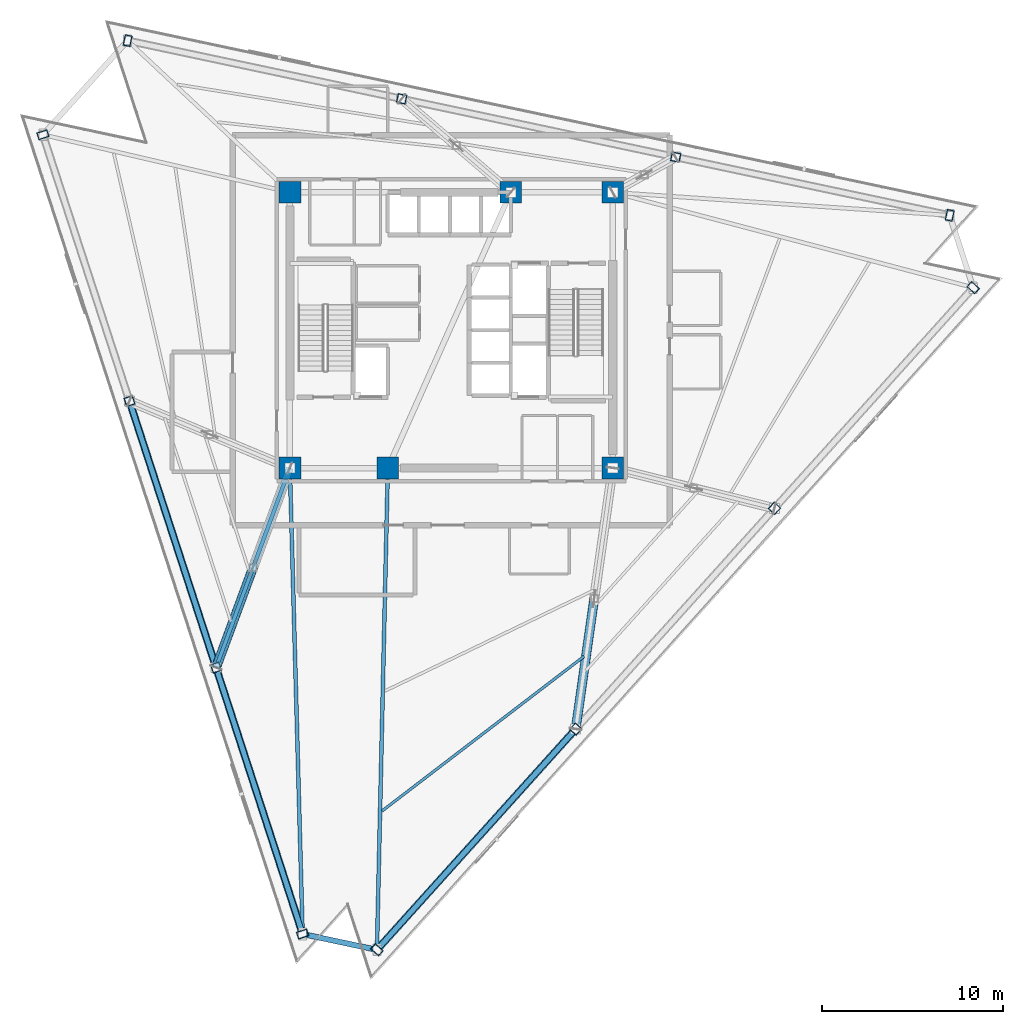
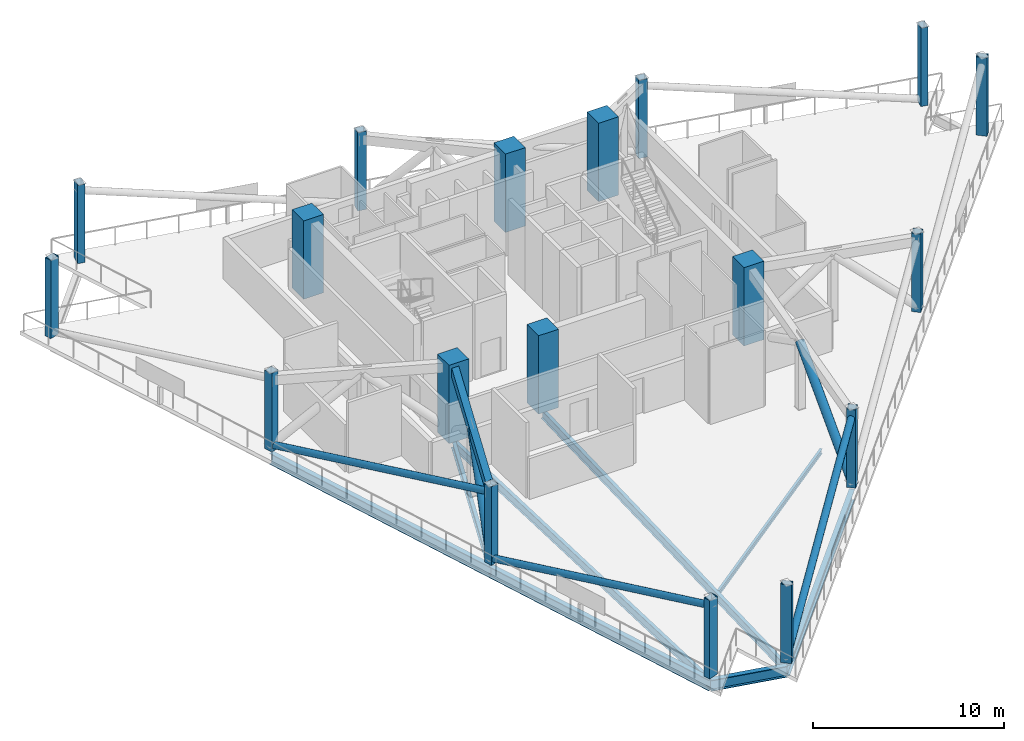
# One storey, part 1 of 15: 18 columns, 8 beams, 6 members.
"""IFC4 building model written with IfcOpenShell, lengths in metres."""

from ifc_helpers import new_model, si_unit, direction, frame, origin, origin_2d, place, context, subcontext, project, spatial, rectangle, hollow_rectangle, hollow_circle, i_section, extrude, material, material_profile, profile_set, type_object, element, save


model = new_model("IFC4")

# Units and contexts
model_context = context("Model", 3, precision=1e-05, world=origin(), true_north=direction((0.0, 1.0)))
body_context = subcontext(model_context, "Body", "Model", "MODEL_VIEW")
ifc_project = project(units=[si_unit("LENGTHUNIT", "METRE"), si_unit("AREAUNIT", "SQUARE_METRE"), si_unit("VOLUMEUNIT", "CUBIC_METRE"), si_unit("PLANEANGLEUNIT", "RADIAN"), si_unit("MASSUNIT", "GRAM", prefix="KILO")], contexts=[model_context])

# Site, building, storey
site_placement = place(None, origin())
site = spatial("IfcSite", under=ifc_project, at=site_placement, CompositionType="ELEMENT")
building_placement = place(site_placement, origin())
building = spatial("IfcBuilding", under=site, at=building_placement, Name="Tharavind Bronze Gate", CompositionType="ELEMENT")
storey_placement = place(building_placement, frame((0.0, 0.0, 222.050048828125)))
storey = spatial("IfcBuildingStorey", under=building, at=storey_placement, Name="L57", CompositionType="ELEMENT", Elevation=222.050048828125)

# Columns
ifc_material_1 = material(Name="Steel S460", Category="steel")
ifc_material_profile_1 = material_profile(ifc_material_1, hollow_rectangle(XDim=0.39990234375, YDim=0.60009765625, WallThickness=0.030029296875, at=origin_2d()), Name="RHS600X400X30")
ifc_profile_set_1 = profile_set([ifc_material_profile_1], Name="Steel S460")
column_type_1 = type_object("IfcColumnType", Name="CORNER NOTCH COLUMN RHS600X400", PredefinedType="COLUMN", material=ifc_profile_set_1)
for number, where, z_axis, x_axis, name in (
    (1, (-22.515380859375, 10.77685546875, 0.0), (0.0, 0.0, 1.0), (-0.309016994375, 0.951056516295, 0.0), "L57 perimeter column S1C1"),
    (2, (-8.197021484375, -33.29150390625, 0.0), (0.0, 0.0, 1.0), (-0.309016994375, 0.951056516295, 0.0), "L57 perimeter column S1C4"),
    (3, (-4.100341796875, -34.162353515625, 0.0), (0.0, 0.0, 1.0), (0.669130606359, 0.743144825477, 0.0), "L57 perimeter column S2C1"),
    (4, (28.772705078125, 2.34716796875, 0.0), (0.0, 0.0, 1.0), (0.669130606359, 0.743144825477, 0.0), "L57 perimeter column S2C4"),
    (5, (27.478515625, 6.330078125, 0.0), (0.0, 0.0, 1.0), (-0.978147600734, 0.207911690818, 0.0), "L57 perimeter column S3C1"),
    (6, (-17.844970703125, 15.9638671875, 0.0), (0.0, 0.0, 1.0), (-0.978147600734, 0.207911690818, 0.0), "L57 perimeter column S3C4"),
):
    element("IfcColumn", number, at=place(storey_placement, frame(where, z_axis=z_axis, x_axis=x_axis)), inside=storey, type_object=column_type_1, Name=name, PredefinedType="COLUMN", context=body_context, shape_type="SweptSolid", body=[
        extrude(hollow_rectangle(XDim=0.39990234375, YDim=0.60009765625, WallThickness=0.030029296875, at=origin_2d()), origin(), (0.0, 0.0, 1.0), 5.0),
    ])
ifc_material_2 = material(Name="Concrete C60/75", Category="concrete")
ifc_material_profile_2 = material_profile(ifc_material_2, rectangle(XDim=1.199951171875, YDim=1.199951171875, at=origin_2d()), Name="RCCOL1200")
ifc_profile_set_2 = profile_set([ifc_material_profile_2], Name="Concrete C60/75")
column_type_2 = type_object("IfcColumnType", Name="MEGA CORE COLUMN 1200", PredefinedType="COLUMN", material=ifc_profile_set_2)
for number, where, z_axis, x_axis, name in (
    (7, (-8.89990234375, -7.60009765625, 0.0), (0.0, 0.0, 1.0), (1.0, 0.0, 0.0), "L57 core mega column MC1"),
    (8, (-3.5, -7.60009765625, 0.0), (0.0, 0.0, 1.0), (1.0, 0.0, 0.0), "L57 core mega column MC2"),
    (9, (8.89990234375, -7.60009765625, 0.0), (0.0, 0.0, 1.0), (1.0, 0.0, 0.0), "L57 core mega column MC3"),
    (10, (8.89990234375, 7.60009765625, 0.0), (0.0, 0.0, 1.0), (1.0, 0.0, 0.0), "L57 core mega column MC4"),
    (11, (3.280029296875, 7.60009765625, 0.0), (0.0, 0.0, 1.0), (1.0, 0.0, 0.0), "L57 core mega column MC5"),
    (12, (-8.89990234375, 7.60009765625, 0.0), (0.0, 0.0, 1.0), (1.0, 0.0, 0.0), "L57 core mega column MC6"),
):
    element("IfcColumn", number, at=place(storey_placement, frame(where, z_axis=z_axis, x_axis=x_axis)), inside=storey, type_object=column_type_2, Name=name, PredefinedType="COLUMN", context=body_context, shape_type="SweptSolid", body=[
        extrude(rectangle(XDim=1.199951171875, YDim=1.199951171875, at=origin_2d()), origin(), (0.0, 0.0, 1.0), 5.0),
    ])
ifc_material_profile_3 = material_profile(ifc_material_1, hollow_rectangle(XDim=0.5, YDim=0.5, WallThickness=0.031982421875, at=origin_2d()), Name="SHS500X32")
ifc_profile_set_3 = profile_set([ifc_material_profile_3], Name="Steel S460")
column_type_3 = type_object("IfcColumnType", Name="PERIMETER BOX COLUMN SHS500", PredefinedType="COLUMN", material=ifc_profile_set_3)
for number, where, z_axis, x_axis, name in (
    (13, (-17.74267578125, -3.91259765625, 0.0), (0.0, 0.0, 1.0), (-0.309016994375, 0.951056516295, 0.0), "L57 perimeter column S1C2"),
    (14, (-12.9697265625, -18.60205078125, 0.0), (0.0, 0.0, 1.0), (-0.309016994375, 0.951056516295, 0.0), "L57 perimeter column S1C3"),
    (15, (6.857421875, -21.992431640625, 0.0), (0.0, 0.0, 1.0), (0.669130606359, 0.743144825477, 0.0), "L57 perimeter column S2C2"),
    (16, (17.815185546875, -9.82275390625, 0.0), (0.0, 0.0, 1.0), (0.669130606359, 0.743144825477, 0.0), "L57 perimeter column S2C3"),
    (17, (12.370849609375, 9.54150390625, 0.0), (0.0, 0.0, 1.0), (-0.978147600734, 0.207911690818, 0.0), "L57 perimeter column S3C2"),
    (18, (-2.737060546875, 12.752685546875, 0.0), (0.0, 0.0, 1.0), (-0.978147600734, 0.207911690818, 0.0), "L57 perimeter column S3C3"),
):
    element("IfcColumn", number, at=place(storey_placement, frame(where, z_axis=z_axis, x_axis=x_axis)), inside=storey, type_object=column_type_3, Name=name, PredefinedType="COLUMN", context=body_context, shape_type="SweptSolid", body=[
        extrude(hollow_rectangle(XDim=0.5, YDim=0.5, WallThickness=0.031982421875, at=origin_2d()), origin(), (0.0, 0.0, 1.0), 5.0),
    ])

# Members
ifc_material_profile_4 = material_profile(ifc_material_1, hollow_circle(Radius=0.203125, WallThickness=0.02001953125, at=origin_2d()), Name="CHS406X20")
ifc_profile_set_4 = profile_set([ifc_material_profile_4], Name="Steel S460")
member_type_1 = type_object("IfcMemberType", Name="BELT TRUSS BRACE CHS406", PredefinedType="BRACE", material=ifc_profile_set_4)
for number, where, z_axis, x_axis, name in (
    (19, (-17.74267578125, -3.91259765625, 0.25), (0.29814350175, -0.917580471268, 0.26297629382), (0.951055439857, 0.309020307293, 0.0), "L57 belt truss brace 1.2"),
    (20, (-12.9697265625, -18.60205078125, 0.25), (0.298129606941, -0.917584643227, 0.262977489493), (0.951060085279, 0.309006009957, 0.0), "L57 belt truss brace 1.3"),
):
    element("IfcMember", number, at=place(storey_placement, frame(where, z_axis=z_axis, x_axis=x_axis)), inside=storey, type_object=member_type_1, Name=name, PredefinedType="BRACE", context=body_context, shape_type="SweptSolid", body=[
        extrude(hollow_circle(Radius=0.203125, WallThickness=0.02001953125, at=origin_2d()), origin(), (0.0, 0.0, 1.0), 16.0087890625),
    ])
member_1_placement = place(storey_placement, frame((-4.100341796875, -34.162353515625, 0.25), z_axis=(0.648055654624, 0.719744185364, 0.248982280782), x_axis=(-0.743147351926, 0.669127800443, 0.0)))
element("IfcMember", 21, at=member_1_placement, inside=storey, type_object=member_type_1, Name="L57 belt truss brace 2.1", PredefinedType="BRACE", context=body_context, shape_type="SweptSolid", body=[
    extrude(hollow_circle(Radius=0.203125, WallThickness=0.02001953125, at=origin_2d()), origin(), (0.0, 0.0, 1.0), 16.90869140625),
])
ifc_material_profile_5 = material_profile(ifc_material_1, hollow_rectangle(XDim=0.39990234375, YDim=0.60009765625, WallThickness=0.030029296875, at=origin_2d()), Name="RHS600X400X30")
ifc_profile_set_5 = profile_set([ifc_material_profile_5], Name="Steel S460")
member_type_2 = type_object("IfcMemberType", Name="OUTRIGGER CHORD RHS600", PredefinedType="CHORD", material=ifc_profile_set_5)
member_2_placement = place(storey_placement, frame((-8.89990234375, -7.60009765625, 4.4599609375), z_axis=(-0.34694151405, -0.937886765995, 0.0), x_axis=(0.937886765995, -0.34694151405, 0.0)))
element("IfcMember", 22, at=member_2_placement, inside=storey, type_object=member_type_2, Name="L57 outrigger top chord 2", PredefinedType="CHORD", context=body_context, shape_type="SweptSolid", body=[
    extrude(hollow_rectangle(XDim=0.39990234375, YDim=0.60009765625, WallThickness=0.030029296875, at=origin_2d()), origin(), (0.0, 0.0, 1.0), 11.73046875),
])
ifc_material_profile_6 = material_profile(ifc_material_1, hollow_circle(Radius=0.25390625, WallThickness=0.031982421875, at=origin_2d()), Name="CHS508X32")
ifc_profile_set_6 = profile_set([ifc_material_profile_6], Name="Steel S460")
member_type_3 = type_object("IfcMemberType", Name="OUTRIGGER DIAGONAL BRACE CHS508", PredefinedType="BRACE", material=ifc_profile_set_6)
member_3_placement = place(storey_placement, frame((-10.934814453125, -13.10107421875, 4.4599609375), z_axis=(-0.281851942833, -0.761930171074, -0.583113965472), x_axis=(0.937886765995, -0.34694151405, 0.0)))
element("IfcMember", 23, at=member_3_placement, inside=storey, type_object=member_type_3, Name="L57 outrigger diagonal brace 2.2", PredefinedType="BRACE", context=body_context, shape_type="SweptSolid", body=[
    extrude(hollow_circle(Radius=0.25390625, WallThickness=0.031982421875, at=origin_2d()), origin(), (0.0, 0.0, 1.0), 7.2197265625),
])
member_4_placement = place(storey_placement, frame((7.878662109375, -14.79638671875, 4.4599609375), z_axis=(-0.121585036689, -0.856734151666, -0.501222178502), x_axis=(0.990079404338, -0.140508978739, 0.0)))
element("IfcMember", 24, at=member_4_placement, inside=storey, type_object=member_type_3, Name="L57 outrigger diagonal brace 3.2", PredefinedType="BRACE", context=body_context, shape_type="SweptSolid", body=[
    extrude(hollow_circle(Radius=0.25390625, WallThickness=0.031982421875, at=origin_2d()), origin(), (0.0, 0.0, 1.0), 8.3994140625),
])

# Beams
ifc_material_3 = material(Name="Steel S355", Category="steel")
ifc_material_profile_7 = material_profile(ifc_material_3, i_section(OverallWidth=0.2099609375, OverallDepth=0.550048828125, WebThickness=0.010986328125, FlangeThickness=0.01708984375, at=origin_2d()), Name="IPE550")
ifc_profile_set_7 = profile_set([ifc_material_profile_7], Name="Steel S355")
beam_type_1 = type_object("IfcBeamType", Name="PRIMARY GIRDER IPE550", PredefinedType="USERDEFINED", material=ifc_profile_set_7)
beam_1_placement = place(storey_placement, frame((-12.9697265625, -18.60205078125, -0.51513671875), z_axis=(0.34694151405, 0.937886765995, 0.0), x_axis=(-0.937886765995, 0.34694151405, 0.0)))
element("IfcBeam", 25, at=beam_1_placement, inside=storey, type_object=beam_type_1, Name="L57 primary girder ipe550 BM-L57-RAD03", ObjectType="GIRDER", PredefinedType="USERDEFINED", context=body_context, shape_type="SweptSolid", body=[
    extrude(i_section(OverallWidth=0.2099609375, OverallDepth=0.550048828125, WebThickness=0.010986328125, FlangeThickness=0.01708984375, at=origin_2d()), origin(), (0.0, 0.0, 1.0), 11.73046875),
])
beam_2_placement = place(storey_placement, frame((-8.197021484375, -33.29150390625, -0.51513671875), z_axis=(-0.027348365031, 0.999625963513, 0.0), x_axis=(-0.999625963513, -0.027348365031, 0.0)))
element("IfcBeam", 26, at=beam_2_placement, inside=storey, type_object=beam_type_1, Name="L57 primary girder ipe550 BM-L57-RAD04", ObjectType="GIRDER", PredefinedType="USERDEFINED", context=body_context, shape_type="SweptSolid", body=[
    extrude(i_section(OverallWidth=0.2099609375, OverallDepth=0.550048828125, WebThickness=0.010986328125, FlangeThickness=0.01708984375, at=origin_2d()), origin(), (0.0, 0.0, 1.0), 25.700927734375),
])
beam_3_placement = place(storey_placement, frame((-4.100341796875, -34.162353515625, -0.51513671875), z_axis=(0.022595540292, 0.999744688187, 0.0), x_axis=(-0.999744688187, 0.022595540292, 0.0)))
element("IfcBeam", 27, at=beam_3_placement, inside=storey, type_object=beam_type_1, Name="L57 primary girder ipe550 BM-L57-RAD05", ObjectType="GIRDER", PredefinedType="USERDEFINED", context=body_context, shape_type="SweptSolid", body=[
    extrude(i_section(OverallWidth=0.2099609375, OverallDepth=0.550048828125, WebThickness=0.010986328125, FlangeThickness=0.01708984375, at=origin_2d()), origin(), (0.0, 0.0, 1.0), 26.569091796875),
])
ifc_material_profile_8 = material_profile(ifc_material_3, i_section(OverallWidth=0.300048828125, OverallDepth=0.699951171875, WebThickness=0.01708984375, FlangeThickness=0.031982421875, at=origin_2d()), Name="HE700B")
ifc_profile_set_8 = profile_set([ifc_material_profile_8], Name="Steel S355")
beam_type_2 = type_object("IfcBeamType", Name="RING GIRDER HE700B", PredefinedType="USERDEFINED", material=ifc_profile_set_8)
for number, where, z_axis, x_axis, name in (
    (28, (-17.74267578125, -3.91259765625, -0.590087890625), (0.309020307293, -0.951055439857, 0.0), (0.951055439857, 0.309020307293, 0.0), "L57 ring girder he700b BM-L57-PRG02"),
    (29, (-12.9697265625, -18.60205078125, -0.590087890625), (0.309006009957, -0.951060085279, 0.0), (0.951060085279, 0.309006009957, 0.0), "L57 ring girder he700b BM-L57-PRG03"),
):
    element("IfcBeam", number, at=place(storey_placement, frame(where, z_axis=z_axis, x_axis=x_axis)), inside=storey, type_object=beam_type_2, Name=name, ObjectType="GIRDER", PredefinedType="USERDEFINED", context=body_context, shape_type="SweptSolid", body=[
        extrude(i_section(OverallWidth=0.300048828125, OverallDepth=0.699951171875, WebThickness=0.01708984375, FlangeThickness=0.031982421875, at=origin_2d()), origin(), (0.0, 0.0, 1.0), 15.4453125),
    ])
beam_4_placement = place(storey_placement, frame((-8.197021484375, -33.29150390625, -0.590087890625), z_axis=(0.978144033538, -0.207928472445, 0.0), x_axis=(0.207928472445, 0.978144033538, 0.0)))
element("IfcBeam", 30, at=beam_4_placement, inside=storey, type_object=beam_type_2, Name="L57 ring girder he700b BM-L57-PRG04", ObjectType="GIRDER", PredefinedType="USERDEFINED", context=body_context, shape_type="SweptSolid", body=[
    extrude(i_section(OverallWidth=0.300048828125, OverallDepth=0.699951171875, WebThickness=0.01708984375, FlangeThickness=0.031982421875, at=origin_2d()), origin(), (0.0, 0.0, 1.0), 4.188232421875),
])
beam_5_placement = place(storey_placement, frame((-4.100341796875, -34.162353515625, -0.590087890625), z_axis=(0.669127800443, 0.743147351926, 0.0), x_axis=(-0.743147351926, 0.669127800443, 0.0)))
element("IfcBeam", 31, at=beam_5_placement, inside=storey, type_object=beam_type_2, Name="L57 ring girder he700b BM-L57-PRG05", ObjectType="GIRDER", PredefinedType="USERDEFINED", context=body_context, shape_type="SweptSolid", body=[
    extrude(i_section(OverallWidth=0.300048828125, OverallDepth=0.699951171875, WebThickness=0.01708984375, FlangeThickness=0.031982421875, at=origin_2d()), origin(), (0.0, 0.0, 1.0), 16.376220703125),
])
ifc_material_profile_9 = material_profile(ifc_material_3, i_section(OverallWidth=0.14990234375, OverallDepth=0.300048828125, WebThickness=0.007080078125, FlangeThickness=0.0107421875, at=origin_2d()), Name="IPE300")
ifc_profile_set_9 = profile_set([ifc_material_profile_9], Name="Steel S355")
beam_type_3 = type_object("IfcBeamType", Name="SECONDARY FLOOR JOIST IPE300", PredefinedType="JOIST", material=ifc_profile_set_9)
beam_6_placement = place(storey_placement, frame((-3.819091796875, -26.5078125, -0.39013671875), z_axis=(0.794097846092, 0.607789939726, 0.0), x_axis=(-0.607789939726, 0.794097846092, 0.0)))
element("IfcBeam", 32, at=beam_6_placement, inside=storey, type_object=beam_type_3, Name="L57 secondary floor joist ipe300 BM-L57-JSTB05", PredefinedType="JOIST", context=body_context, shape_type="SweptSolid", body=[
    extrude(i_section(OverallWidth=0.14990234375, OverallDepth=0.300048828125, WebThickness=0.007080078125, FlangeThickness=0.0107421875, at=origin_2d()), origin(), (0.0, 0.0, 1.0), 14.024169921875),
])

save(model, "model.ifc")
